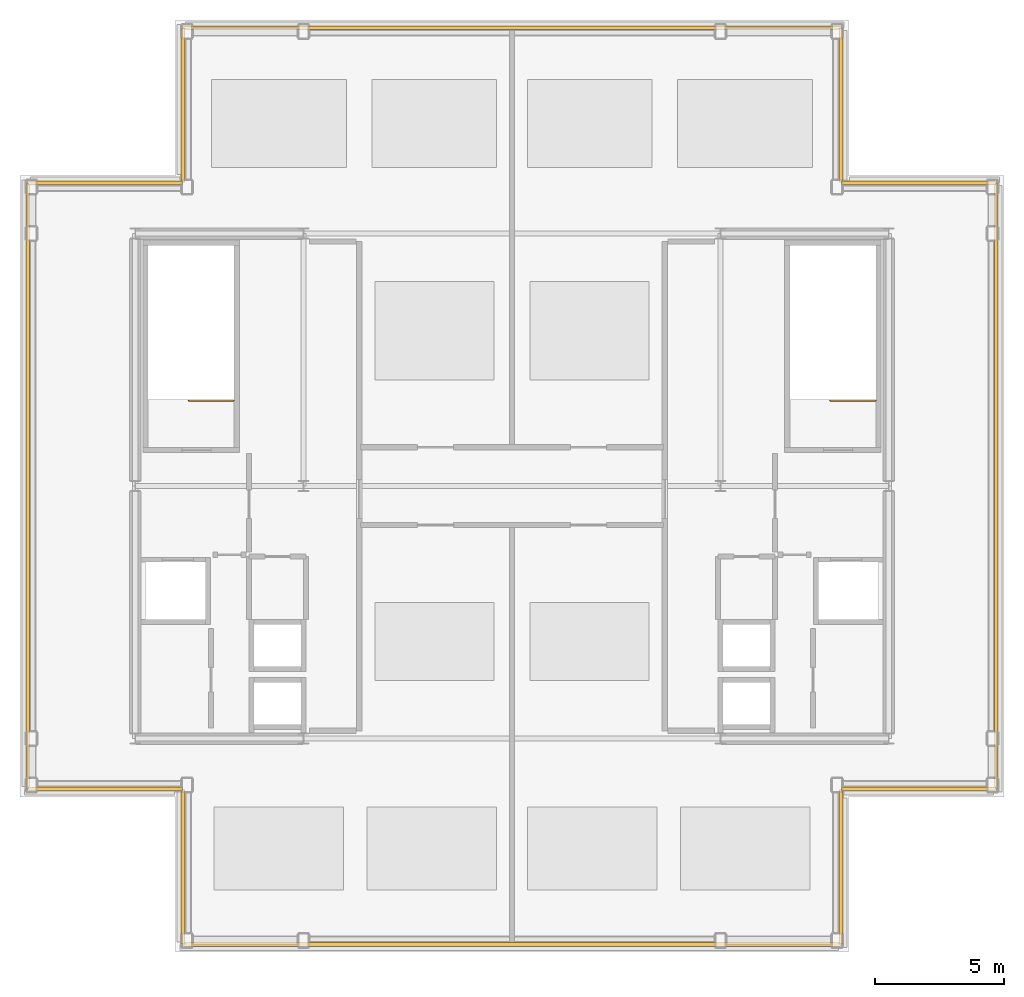
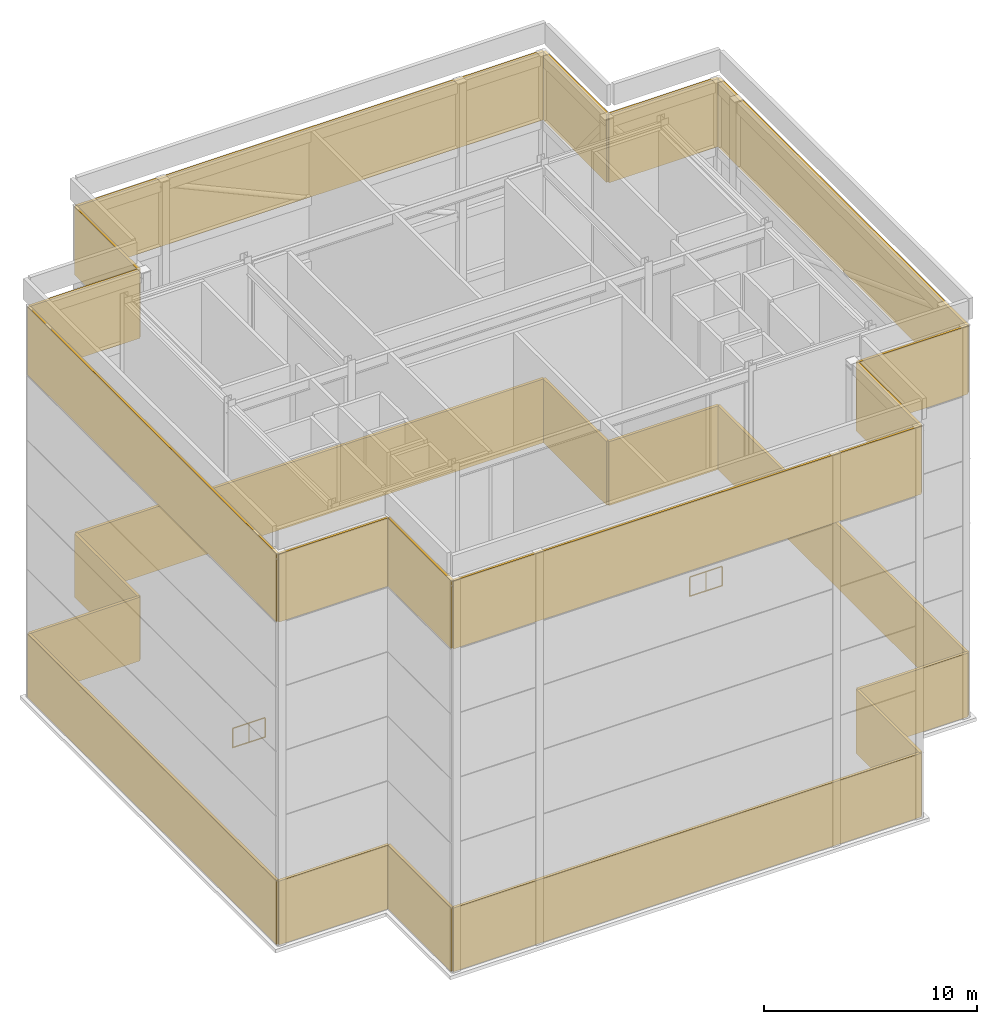
# One storey, part 7 of 8: 24 shading devices, 2 railings.
"""IFC4 building model written with IfcOpenShell, lengths in metres."""

from ifc_helpers import new_model, si_unit, direction, frame, origin, origin_2d, place, context, subcontext, project, spatial, rectangle, extrude, material, layer, layer_set, type_object, element, save


model = new_model("IFC4")

# Units and contexts
model_context = context("Model", 3, precision=1e-05, world=origin(), true_north=direction((0.0, 1.0)))
body_context = subcontext(model_context, "Body", "Model", "MODEL_VIEW")
ifc_project = project(units=[si_unit("LENGTHUNIT", "METRE"), si_unit("AREAUNIT", "SQUARE_METRE"), si_unit("VOLUMEUNIT", "CUBIC_METRE"), si_unit("PLANEANGLEUNIT", "RADIAN"), si_unit("MASSUNIT", "GRAM", prefix="KILO")], contexts=[model_context])

# Site, building, storey
site_placement = place(None, origin())
site = spatial("IfcSite", under=ifc_project, at=site_placement, CompositionType="ELEMENT")
building_placement = place(site_placement, origin())
building = spatial("IfcBuilding", under=site, at=building_placement, Name="Brelmoor Portico Tower", CompositionType="ELEMENT")
storey_placement = place(building_placement, frame((0.0, 0.0, 289.199951171875)))
storey = spatial("IfcBuildingStorey", under=building, at=storey_placement, Name="L76", CompositionType="ELEMENT", Elevation=289.199951171875)

# Shading devices
ifc_material_1 = material(Name="Pale Champagne Anodised Aluminium Crown Louvre", Category="aluminium")
ifc_layer = layer(ifc_material_1, 0.14990234375)
ifc_layer_set = layer_set([ifc_layer], Name="Pale Champagne Anodised Aluminium Crown Louvre")
shading_device_type = type_object("IfcShadingDeviceType", Name="CROWN LOUVRE SCREEN", PredefinedType="USERDEFINED", material=ifc_layer_set)
for number, where, z_axis, x_axis, name in (
    (1, (0.0, -17.699951171875, 0.02001953125), (0.0, 0.0, 1.0), (1.0, 0.0, 0.0), "CROWN LOUVRE SCREEN Tier 1 S"),
    (2, (0.0, 17.699951171875, 0.02001953125), (0.0, 0.0, 1.0), (1.0, 0.0, 0.0), "CROWN LOUVRE SCREEN Tier 1 N"),
):
    element("IfcShadingDevice", number, at=place(storey_placement, frame(where, z_axis=z_axis, x_axis=x_axis)), inside=storey, type_object=shading_device_type, Name=name, ObjectType="LOUVRE", PredefinedType="USERDEFINED", context=body_context, shape_type="SweptSolid", body=[
        extrude(rectangle(XDim=25.360107421875, YDim=0.14990234375, at=origin_2d()), origin(), (0.0, 0.0, 1.0), 3.659912109375),
    ])
for number, where, z_axis, x_axis, name in (
    (3, (-18.699951171875, 0.0, 0.02001953125), (0.0, 0.0, 1.0), (0.0, 1.0, 0.0), "CROWN LOUVRE SCREEN Tier 1 W"),
    (4, (18.699951171875, 0.0, 0.02001953125), (0.0, 0.0, 1.0), (0.0, 1.0, 0.0), "CROWN LOUVRE SCREEN Tier 1 E"),
):
    element("IfcShadingDevice", number, at=place(storey_placement, frame(where, z_axis=z_axis, x_axis=x_axis)), inside=storey, type_object=shading_device_type, Name=name, ObjectType="LOUVRE", PredefinedType="USERDEFINED", context=body_context, shape_type="SweptSolid", body=[
        extrude(rectangle(XDim=23.360107421875, YDim=0.14990234375, at=origin_2d()), origin(), (0.0, 0.0, 1.0), 3.659912109375),
    ])
for number, where, z_axis, x_axis, name in (
    (5, (-12.699951171875, -14.699951171875, 0.02001953125), (0.0, 0.0, 1.0), (0.0, 1.0, 0.0), "CROWN LOUVRE SCREEN Tier 1 SW1"),
    (6, (-15.699951171875, -11.699951171875, 0.02001953125), (0.0, 0.0, 1.0), (1.0, 0.0, 0.0), "CROWN LOUVRE SCREEN Tier 1 SW2"),
    (7, (12.699951171875, -14.699951171875, 0.02001953125), (0.0, 0.0, 1.0), (0.0, 1.0, 0.0), "CROWN LOUVRE SCREEN Tier 1 SE1"),
    (8, (15.699951171875, -11.699951171875, 0.02001953125), (0.0, 0.0, 1.0), (1.0, 0.0, 0.0), "CROWN LOUVRE SCREEN Tier 1 SE2"),
    (9, (-12.699951171875, 14.699951171875, 0.02001953125), (0.0, 0.0, 1.0), (0.0, 1.0, 0.0), "CROWN LOUVRE SCREEN Tier 1 NW1"),
    (10, (-15.699951171875, 11.699951171875, 0.02001953125), (0.0, 0.0, 1.0), (1.0, 0.0, 0.0), "CROWN LOUVRE SCREEN Tier 1 NW2"),
    (11, (12.699951171875, 14.699951171875, 0.02001953125), (0.0, 0.0, 1.0), (0.0, 1.0, 0.0), "CROWN LOUVRE SCREEN Tier 1 NE1"),
    (12, (15.699951171875, 11.699951171875, 0.02001953125), (0.0, 0.0, 1.0), (1.0, 0.0, 0.0), "CROWN LOUVRE SCREEN Tier 1 NE2"),
):
    element("IfcShadingDevice", number, at=place(storey_placement, frame(where, z_axis=z_axis, x_axis=x_axis)), inside=storey, type_object=shading_device_type, Name=name, ObjectType="LOUVRE", PredefinedType="USERDEFINED", context=body_context, shape_type="SweptSolid", body=[
        extrude(rectangle(XDim=5.9599609375, YDim=0.14990234375, at=origin_2d()), origin(), (0.0, 0.0, 1.0), 3.659912109375),
    ])
for number, where, z_axis, x_axis, name in (
    (13, (0.0, -17.699951171875, 18.52001953125), (0.0, 0.0, 1.0), (1.0, 0.0, 0.0), "CROWN LOUVRE SCREEN Tier 6 S"),
    (14, (0.0, 17.699951171875, 18.52001953125), (0.0, 0.0, 1.0), (1.0, 0.0, 0.0), "CROWN LOUVRE SCREEN Tier 6 N"),
):
    element("IfcShadingDevice", number, at=place(storey_placement, frame(where, z_axis=z_axis, x_axis=x_axis)), inside=storey, type_object=shading_device_type, Name=name, ObjectType="LOUVRE", PredefinedType="USERDEFINED", context=body_context, shape_type="SweptSolid", body=[
        extrude(rectangle(XDim=25.360107421875, YDim=0.14990234375, at=origin_2d()), origin(), (0.0, 0.0, 1.0), 3.909912109375),
    ])
for number, where, z_axis, x_axis, name in (
    (15, (-18.699951171875, 0.0, 18.52001953125), (0.0, 0.0, 1.0), (0.0, 1.0, 0.0), "CROWN LOUVRE SCREEN Tier 6 W"),
    (16, (18.699951171875, 0.0, 18.52001953125), (0.0, 0.0, 1.0), (0.0, 1.0, 0.0), "CROWN LOUVRE SCREEN Tier 6 E"),
):
    element("IfcShadingDevice", number, at=place(storey_placement, frame(where, z_axis=z_axis, x_axis=x_axis)), inside=storey, type_object=shading_device_type, Name=name, ObjectType="LOUVRE", PredefinedType="USERDEFINED", context=body_context, shape_type="SweptSolid", body=[
        extrude(rectangle(XDim=23.360107421875, YDim=0.14990234375, at=origin_2d()), origin(), (0.0, 0.0, 1.0), 3.909912109375),
    ])
for number, where, z_axis, x_axis, name in (
    (17, (-12.699951171875, -14.699951171875, 18.52001953125), (0.0, 0.0, 1.0), (0.0, 1.0, 0.0), "CROWN LOUVRE SCREEN Tier 6 SW1"),
    (18, (-15.699951171875, -11.699951171875, 18.52001953125), (0.0, 0.0, 1.0), (1.0, 0.0, 0.0), "CROWN LOUVRE SCREEN Tier 6 SW2"),
    (19, (12.699951171875, -14.699951171875, 18.52001953125), (0.0, 0.0, 1.0), (0.0, 1.0, 0.0), "CROWN LOUVRE SCREEN Tier 6 SE1"),
    (20, (15.699951171875, -11.699951171875, 18.52001953125), (0.0, 0.0, 1.0), (1.0, 0.0, 0.0), "CROWN LOUVRE SCREEN Tier 6 SE2"),
    (21, (-12.699951171875, 14.699951171875, 18.52001953125), (0.0, 0.0, 1.0), (0.0, 1.0, 0.0), "CROWN LOUVRE SCREEN Tier 6 NW1"),
    (22, (-15.699951171875, 11.699951171875, 18.52001953125), (0.0, 0.0, 1.0), (1.0, 0.0, 0.0), "CROWN LOUVRE SCREEN Tier 6 NW2"),
    (23, (12.699951171875, 14.699951171875, 18.52001953125), (0.0, 0.0, 1.0), (0.0, 1.0, 0.0), "CROWN LOUVRE SCREEN Tier 6 NE1"),
    (24, (15.699951171875, 11.699951171875, 18.52001953125), (0.0, 0.0, 1.0), (1.0, 0.0, 0.0), "CROWN LOUVRE SCREEN Tier 6 NE2"),
):
    element("IfcShadingDevice", number, at=place(storey_placement, frame(where, z_axis=z_axis, x_axis=x_axis)), inside=storey, type_object=shading_device_type, Name=name, ObjectType="LOUVRE", PredefinedType="USERDEFINED", context=body_context, shape_type="SweptSolid", body=[
        extrude(rectangle(XDim=5.9599609375, YDim=0.14990234375, at=origin_2d()), origin(), (0.0, 0.0, 1.0), 3.909912109375),
    ])

# Railings
ifc_material_2 = material(Name="Painted Tubular Steel Q235B", Category="steel")
railing_type = type_object("IfcRailingType", Name="RL-STAIR-GUARD", PredefinedType="GUARDRAIL", material=ifc_material_2)
for number, where, name in (
    (25, (-10.72998046875, 3.300048828125, 0.0), "L76 ST-W top well guard 1"),
    (26, (14.050048828125, 3.300048828125, 0.0), "L76 ST-E top well guard 1"),
):
    element("IfcRailing", number, at=place(storey_placement, frame(where)), inside=storey, type_object=railing_type, Name=name, PredefinedType="GUARDRAIL", context=body_context, shape_type="SweptSolid", body=[
        extrude(rectangle(XDim=0.048095703125, YDim=0.048095703125, at=origin_2d()), frame((0.0, 0.0, 1.1259765625), z_axis=(-1.0, 0.0, 0.0), x_axis=(0.0, -1.0, 0.0)), (0.0, 0.0, 1.0), 1.760009765625),
        extrude(rectangle(XDim=0.048095703125, YDim=0.048095703125, at=origin_2d()), frame((0.0, 0.0, 0.02392578125), z_axis=(-1.0, 0.0, 0.0), x_axis=(0.0, -1.0, 0.0)), (0.0, 0.0, 1.0), 1.760009765625),
        extrude(rectangle(XDim=0.0419921875, YDim=0.0419921875, at=origin_2d()), origin(), (0.0, 0.0, 1.0), 1.101806640625),
        extrude(rectangle(XDim=0.0419921875, YDim=0.0419921875, at=origin_2d()), frame((-0.8798828125, 0.0, 0.0)), (0.0, 0.0, 1.0), 1.101806640625),
        extrude(rectangle(XDim=0.0419921875, YDim=0.0419921875, at=origin_2d()), frame((-1.760009765625, 0.0, 0.0)), (0.0, 0.0, 1.0), 1.101806640625),
    ])

save(model, "model.ifc")
